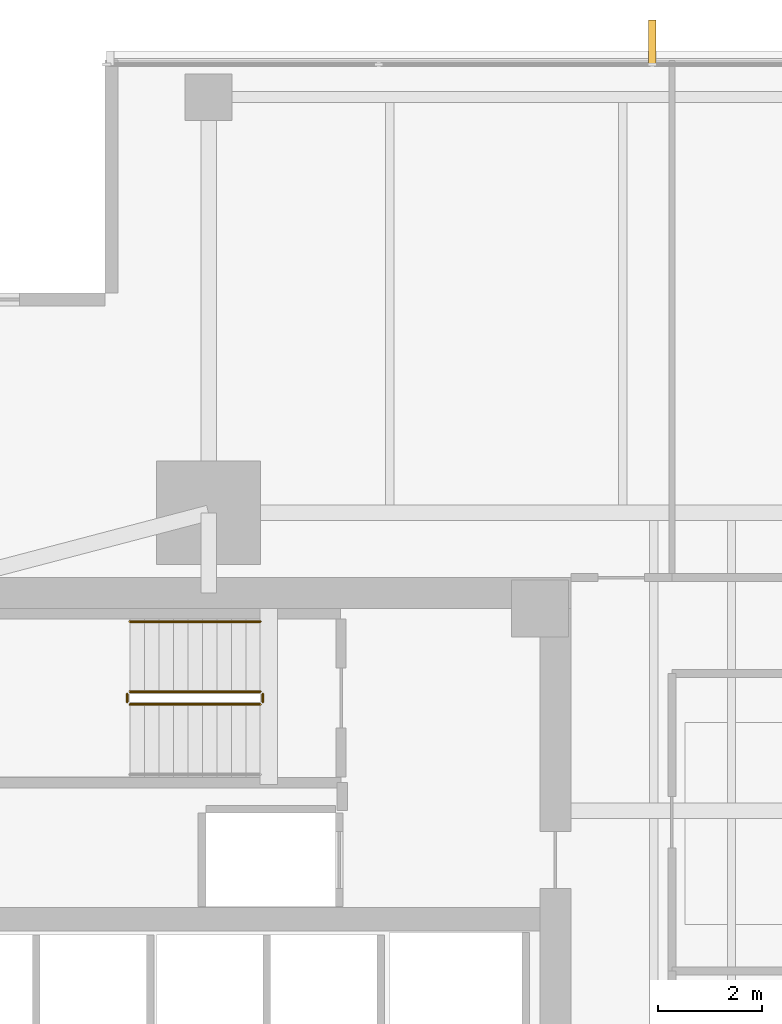
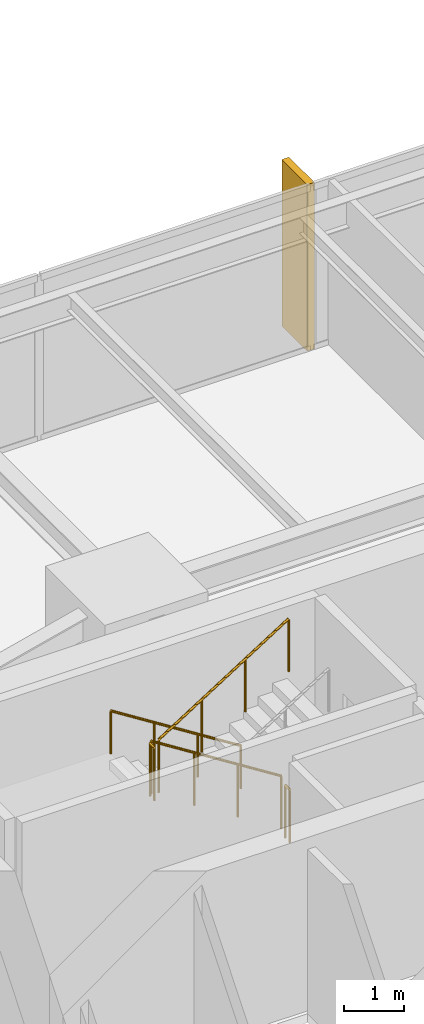
# One storey, part 13 of 14: 5 railings, 1 covering.
"""IFC4 building model written with IfcOpenShell, lengths in metres."""

import ifcopenshell
import ifcopenshell.guid

model = None  # the IFC model being written
_history = None  # IfcOwnerHistory: only IFC2X3 demands one
_inside = {}  # id of a spatial element -> (the spatial element, [elements in it])
_under = {}  # id of a project, library or spatial element -> (it, [spatial elements below it])
_declared = {}  # id of a project -> (the project, [libraries it declares])
_typed = {}  # id of a type object -> (the type object, [elements of that type])
_made_of = {}  # id of a material, layer set ... -> (it, [elements and type objects made of it])


def new_model(schema):
    """Start an empty IFC model of exactly this schema.

    Asked for "IFC4X3", IfcOpenShell would pick the latest addendum, in which some entities
    have other attributes; the version numbers below select the first issue.
    IFC2X3 requires an IfcOwnerHistory on every rooted entity: one is made here for all.
    """
    global model, _history
    if schema == "IFC4X3":
        model = ifcopenshell.file(schema_version=(4, 3, 0, 0))
    else:
        model = ifcopenshell.file(schema=schema)
    _inside.clear()
    _under.clear()
    _declared.clear()
    _typed.clear()
    _made_of.clear()
    _history = None
    if model.schema == "IFC2X3":
        org = make("IfcOrganization", Name="unknown")
        user = make(
            "IfcPersonAndOrganization",
            ThePerson=make("IfcPerson", FamilyName="unknown"),
            TheOrganization=org,
        )
        app = make(
            "IfcApplication",
            ApplicationDeveloper=org,
            Version="unknown",
            ApplicationFullName="unknown",
            ApplicationIdentifier="unknown",
        )
        _history = make(
            "IfcOwnerHistory",
            OwningUser=user,
            OwningApplication=app,
            ChangeAction="ADDED",
            CreationDate=0,
        )
    return model


def make(cls, **values):
    """One entity of the class cls with the attributes given. An attribute that is None is left unset."""
    return model.create_entity(
        cls, **{name: value for name, value in values.items() if value is not None}
    )


def rooted(cls, **values):
    """An entity with a GlobalId (a new one), such as an element, a storey or a relation."""
    return make(cls, GlobalId=ifcopenshell.guid.new(), OwnerHistory=_history, **values)


def si_unit(unit_type, name, prefix=None):
    """IfcSIUnit, for example si_unit("LENGTHUNIT", "METRE", prefix="MILLI")."""
    return make("IfcSIUnit", UnitType=unit_type, Prefix=prefix, Name=name)


def assignment(units):
    """IfcUnitAssignment: the units of a project."""
    return None if units is None else make("IfcUnitAssignment", Units=units)


def point(xyz):
    """IfcCartesianPoint."""
    return None if xyz is None else make("IfcCartesianPoint", Coordinates=xyz)


def direction(xyz):
    """IfcDirection."""
    return None if xyz is None else make("IfcDirection", DirectionRatios=xyz)


def frame(location, z_axis=None, x_axis=None):
    """IfcAxis2Placement3D, a coordinate frame: its origin and axes. An axis left out is left unset."""
    return make(
        "IfcAxis2Placement3D",
        Location=point(location),
        Axis=direction(z_axis),
        RefDirection=direction(x_axis),
    )


def frame_2d(location, x_axis=None):
    """IfcAxis2Placement2D, a coordinate frame in the plane: its origin and x axis."""
    return make(
        "IfcAxis2Placement2D", Location=point(location), RefDirection=direction(x_axis)
    )


def origin():
    """The frame at (0, 0, 0) with its axes left unset."""
    return frame((0.0, 0.0, 0.0))


def origin_2d():
    """The frame at (0, 0) in the plane with its x axis left unset."""
    return frame_2d((0.0, 0.0))


def place(relative_to, where):
    """IfcLocalPlacement: puts the frame where relative to a parent placement (None: the world)."""
    return make(
        "IfcLocalPlacement", PlacementRelTo=relative_to, RelativePlacement=where
    )


def context(
    kind, dimensions, precision=None, world=None, true_north=None, identifier=None
):
    """IfcGeometricRepresentationContext, for example the 3D "Model" context."""
    return make(
        "IfcGeometricRepresentationContext",
        ContextIdentifier=identifier,
        ContextType=kind,
        CoordinateSpaceDimension=dimensions,
        Precision=precision,
        WorldCoordinateSystem=world,
        TrueNorth=true_north,
    )


def subcontext(parent, identifier, kind, view, scale=None):
    """IfcGeometricRepresentationSubContext, for example "Body" below "Model"."""
    return make(
        "IfcGeometricRepresentationSubContext",
        ContextIdentifier=identifier,
        ContextType=kind,
        ParentContext=parent,
        TargetScale=scale,
        TargetView=view,
    )


def project(units=None, contexts=None):
    """IfcProject with its units and contexts."""
    return rooted(
        "IfcProject",
        Name="project",
        RepresentationContexts=contexts,
        UnitsInContext=assignment(units),
    )


def spatial(cls, under=None, at=None, **own):
    """A site, building, storey or space (cls), placed at a placement, below another one or the project."""
    s = rooted(cls, ObjectPlacement=at, **own)
    if under is not None:
        _under.setdefault(under.id(), (under, []))[1].append(s)
    return s


def polyline(points):
    """IfcPolyline through the points."""
    return make("IfcPolyline", Points=[point(p) for p in points])


def profile(cls, at=None, kind="AREA", **sizes):
    """A parametric profile (cls). Its sizes go by their IFC names, for example OverallWidth=200.0."""
    return make(cls, ProfileType=kind, Position=at, **sizes)


def circle(**sizes):
    """IfcCircleProfileDef."""
    return profile("IfcCircleProfileDef", **sizes)


def outline(outer, holes=None, kind="AREA"):
    """IfcArbitraryClosedProfileDef: a profile drawn as a closed curve; with holes, ...WithVoids."""
    if holes is None:
        return make("IfcArbitraryClosedProfileDef", ProfileType=kind, OuterCurve=outer)
    return make(
        "IfcArbitraryProfileDefWithVoids",
        ProfileType=kind,
        OuterCurve=outer,
        InnerCurves=holes,
    )


def extrude(swept, where, along, depth):
    """IfcExtrudedAreaSolid: the profile swept, set in the frame where, extruded along a direction by depth."""
    return make(
        "IfcExtrudedAreaSolid",
        SweptArea=swept,
        Position=where,
        ExtrudedDirection=direction(along),
        Depth=depth,
    )


def shape(context_of_items, identifier, shape_type, items):
    """IfcShapeRepresentation: the items that make up one representation, for example the "Body"."""
    return make(
        "IfcShapeRepresentation",
        ContextOfItems=context_of_items,
        RepresentationIdentifier=identifier,
        RepresentationType=shape_type,
        Items=items,
    )


def material(Name=None, Category=None):
    """IfcMaterial."""
    return make("IfcMaterial", Name=Name, Category=Category)


def layer(
    of_material, thickness, ventilated=None, Name=None, Category=None, Priority=None
):
    """IfcMaterialLayer: one layer of a wall or slab, of a material (None: an air gap)."""
    return make(
        "IfcMaterialLayer",
        Material=of_material,
        LayerThickness=thickness,
        IsVentilated=ventilated,
        Name=Name,
        Category=Category,
        Priority=Priority,
    )


def layer_set(layers, Name=None):
    """IfcMaterialLayerSet."""
    return make("IfcMaterialLayerSet", MaterialLayers=layers, LayerSetName=Name)


def made_of(thing, what):
    """Note that an element or type object is made of a material, layer set ...; save() writes the relation."""
    if what is not None:
        _made_of.setdefault(what.id(), (what, []))[1].append(thing)
    return thing


def type_object(cls, material=None, **own):
    """A type object (cls), such as IfcWallType, which elements share."""
    return made_of(rooted(cls, **own), material)


def element(
    cls,
    number,
    at=None,
    inside=None,
    cuts=None,
    type_object=None,
    material=None,
    context=None,
    identifier="Body",
    shape_type=None,
    held_by="IfcProductDefinitionShape",
    body=None,
    shapes=None,
    **own,
):
    """One element of the class cls, such as IfcWall. Its Tag is "e" and its number.

    at: its placement. inside: the storey or other place that contains it. cuts: it is an
    opening in that element (IfcRelVoidsElement). A single representation is given by context,
    identifier, shape_type and body (its items); several are given by shapes. held_by: the class
    of the entity that holds the representations. save() writes the other relations.
    """
    e = rooted(cls, Tag="e%d" % number, ObjectPlacement=at, **own)
    if body is not None:
        shapes = [shape(context, identifier, shape_type, body)]
    if shapes is not None:
        e.Representation = make(held_by, Representations=shapes)
    if inside is not None:
        _inside.setdefault(inside.id(), (inside, []))[1].append(e)
    if cuts is not None:
        rooted(
            "IfcRelVoidsElement", RelatingBuildingElement=cuts, RelatedOpeningElement=e
        )
    if type_object is not None:
        _typed.setdefault(type_object.id(), (type_object, []))[1].append(e)
    return made_of(e, material)


def aggregate(whole, parts):
    """IfcRelAggregates: a whole, such as a stair, and the parts it consists of."""
    return rooted("IfcRelAggregates", RelatingObject=whole, RelatedObjects=parts)


def save(model, path):
    """Write the relations noted so far, then the file.

    IfcRelAggregates (storeys below a building ...), IfcRelContainedInSpatialStructure (elements
    in a storey), IfcRelDefinesByType, IfcRelAssociatesMaterial and IfcRelDeclares: one each for
    every whole, place, type object, material and project.
    """
    for whole, parts in _under.values():
        aggregate(whole, parts)
    for where, things in _inside.values():
        rooted(
            "IfcRelContainedInSpatialStructure",
            RelatedElements=things,
            RelatingStructure=where,
        )
    for kind, things in _typed.values():
        rooted("IfcRelDefinesByType", RelatedObjects=things, RelatingType=kind)
    for what, things in _made_of.values():
        rooted("IfcRelAssociatesMaterial", RelatedObjects=things, RelatingMaterial=what)
    for by, libraries in _declared.values():
        rooted("IfcRelDeclares", RelatingContext=by, RelatedDefinitions=libraries)
    model.write(path)


model = new_model("IFC4")

# Units and contexts
model_context = context("Model", 3, precision=1e-05, world=origin(), true_north=direction((0.0, 1.0)))
body_context = subcontext(model_context, "Body", "Model", "MODEL_VIEW")
ifc_project = project(units=[si_unit("LENGTHUNIT", "METRE"), si_unit("AREAUNIT", "SQUARE_METRE"), si_unit("VOLUMEUNIT", "CUBIC_METRE"), si_unit("PLANEANGLEUNIT", "RADIAN"), si_unit("MASSUNIT", "GRAM", prefix="KILO")], contexts=[model_context])

# Site, building, storey
site_placement = place(None, origin())
site = spatial("IfcSite", under=ifc_project, at=site_placement, CompositionType="ELEMENT")
building_placement = place(site_placement, origin())
building = spatial("IfcBuilding", under=site, at=building_placement, Name="Kinhvarn Gate Tower", CompositionType="ELEMENT")
storey_placement = place(building_placement, frame((0.0, 0.0, 144.85009765625)))
storey = spatial("IfcBuildingStorey", under=building, at=storey_placement, Name="L38", CompositionType="ELEMENT", Elevation=144.85009765625)

# Covering
ifc_material_1 = material(Name="Fired architectural terracotta", Category="masonry")
ifc_layer = layer(ifc_material_1, 0.139892578125)
ifc_layer_set = layer_set([ifc_layer], Name="Fired architectural terracotta")
covering_type = type_object("IfcCoveringType", Name="COV-FIN-850", PredefinedType="CLADDING", material=ifc_layer_set)
covering_placement = place(storey_placement, frame((0.0, 0.0, -0.02001953125)))
element("IfcCovering", 1, at=covering_placement, inside=storey, type_object=covering_type, Name="Vertical Terracotta Expressive Fin TFN-850 (L38)", PredefinedType="CLADDING", context=body_context, shape_type="SweptSolid", body=[
    extrude(outline(polyline([(19.641357421875, 46.419921875), (19.50146484375, 46.419921875), (19.50146484375, 47.27001953125), (19.641357421875, 47.27001953125), (19.641357421875, 46.419921875)])), origin(), (0.0, 0.0, 1.0), 3.409912109375),
])

# Railings
ifc_material_2 = material(Name="Steel S355", Category="steel")
railing_type_1 = type_object("IfcRailingType", Name="RL-ST-GRD", PredefinedType="BALUSTRADE", material=ifc_material_2)
railing_1_placement = place(storey_placement, frame((12.0, 34.300048828125, 0.177490234375)))
element("IfcRailing", 2, at=railing_1_placement, inside=storey, type_object=railing_type_1, Name="L38 ST2 stair guard 1", PredefinedType="BALUSTRADE", context=body_context, shape_type="SweptSolid", body=[
    extrude(circle(Radius=0.02392578125, at=origin_2d()), frame((0.0, 0.0, 1.076171875), z_axis=(-0.84460694969, 0.0, 0.535386869969), x_axis=(0.0, -1.0, 0.0)), (0.0, 0.0, 1.0), 2.983642578125),
    extrude(circle(Radius=0.02099609375, at=origin_2d()), origin(), (0.0, 0.0, 1.0), 1.052001953125),
    extrude(circle(Radius=0.02099609375, at=origin_2d()), frame((-0.840087890625, 0.0, 0.532470703125)), (0.0, 0.0, 1.0), 1.052001953125),
    extrude(circle(Radius=0.02099609375, at=origin_2d()), frame((-1.679931640625, 0.0, 1.06494140625)), (0.0, 0.0, 1.0), 1.052001953125),
    extrude(circle(Radius=0.02099609375, at=origin_2d()), frame((-2.52001953125, 0.0, 1.597412109375)), (0.0, 0.0, 1.0), 1.052001953125),
])
railing_2_placement = place(storey_placement, frame((9.429931640625, 34.25, 1.77490234375)))
element("IfcRailing", 3, at=railing_2_placement, inside=storey, type_object=railing_type_1, Name="L38 ST2 stair guard 2", PredefinedType="BALUSTRADE", context=body_context, shape_type="SweptSolid", body=[
    extrude(circle(Radius=0.02392578125, at=origin_2d()), frame((0.0, 0.0, 1.076171875), z_axis=(0.0, -1.0, 0.0), x_axis=(1.0, 0.0, 0.0)), (0.0, 0.0, 1.0), 0.14990234375),
    extrude(circle(Radius=0.02099609375, at=origin_2d()), origin(), (0.0, 0.0, 1.0), 1.052001953125),
    extrude(circle(Radius=0.02099609375, at=origin_2d()), frame((0.0, -0.14990234375, 0.0)), (0.0, 0.0, 1.0), 1.052001953125),
])
railing_3_placement = place(storey_placement, frame((9.47998046875, 34.050048828125, 1.952392578125)))
element("IfcRailing", 4, at=railing_3_placement, inside=storey, type_object=railing_type_1, Name="L38 ST2 stair guard 3", PredefinedType="BALUSTRADE", context=body_context, shape_type="SweptSolid", body=[
    extrude(circle(Radius=0.02392578125, at=origin_2d()), frame((0.0, 0.0, 1.076171875), z_axis=(0.84460694969, 0.0, 0.535386869969), x_axis=(0.0, 1.0, 0.0)), (0.0, 0.0, 1.0), 2.983642578125),
    extrude(circle(Radius=0.02099609375, at=origin_2d()), origin(), (0.0, 0.0, 1.0), 1.052001953125),
    extrude(circle(Radius=0.02099609375, at=origin_2d()), frame((0.840087890625, 0.0, 0.532470703125)), (0.0, 0.0, 1.0), 1.052001953125),
    extrude(circle(Radius=0.02099609375, at=origin_2d()), frame((1.679931640625, 0.0, 1.06494140625)), (0.0, 0.0, 1.0), 1.052001953125),
    extrude(circle(Radius=0.02099609375, at=origin_2d()), frame((2.52001953125, 0.0, 1.597412109375)), (0.0, 0.0, 1.0), 1.052001953125),
])
railing_4_placement = place(storey_placement, frame((12.050048828125, 34.25, 0.0)))
element("IfcRailing", 5, at=railing_4_placement, inside=storey, type_object=railing_type_1, Name="L38 ST2 stair guard 4", PredefinedType="BALUSTRADE", context=body_context, shape_type="SweptSolid", body=[
    extrude(circle(Radius=0.02392578125, at=origin_2d()), frame((0.0, 0.0, 1.076171875), z_axis=(0.0, -1.0, 0.0), x_axis=(1.0, 0.0, 0.0)), (0.0, 0.0, 1.0), 0.14990234375),
    extrude(circle(Radius=0.02099609375, at=origin_2d()), origin(), (0.0, 0.0, 1.0), 1.052001953125),
    extrude(circle(Radius=0.02099609375, at=origin_2d()), frame((0.0, -0.14990234375, 0.0)), (0.0, 0.0, 1.0), 1.052001953125),
])
railing_type_2 = type_object("IfcRailingType", Name="RL-ST-HND", PredefinedType="HANDRAIL", material=ifc_material_2)
railing_5_placement = place(storey_placement, frame((12.0, 35.64990234375, 0.177490234375)))
element("IfcRailing", 6, at=railing_5_placement, inside=storey, type_object=railing_type_2, Name="L38 ST2 stair handrail 1", PredefinedType="HANDRAIL", context=body_context, shape_type="SweptSolid", body=[
    extrude(circle(Radius=0.02392578125, at=origin_2d()), frame((0.0, 0.0, 0.8759765625), z_axis=(-0.84460694969, 0.0, 0.535386869969), x_axis=(0.0, -1.0, 0.0)), (0.0, 0.0, 1.0), 2.983642578125),
    extrude(circle(Radius=0.02099609375, at=origin_2d()), origin(), (0.0, 0.0, 1.0), 0.851806640625),
    extrude(circle(Radius=0.02099609375, at=origin_2d()), frame((-0.840087890625, 0.0, 0.532470703125)), (0.0, 0.0, 1.0), 0.851806640625),
    extrude(circle(Radius=0.02099609375, at=origin_2d()), frame((-1.679931640625, 0.0, 1.06494140625)), (0.0, 0.0, 1.0), 0.851806640625),
    extrude(circle(Radius=0.02099609375, at=origin_2d()), frame((-2.52001953125, 0.0, 1.597412109375)), (0.0, 0.0, 1.0), 0.851806640625),
])

save(model, "model.ifc")
